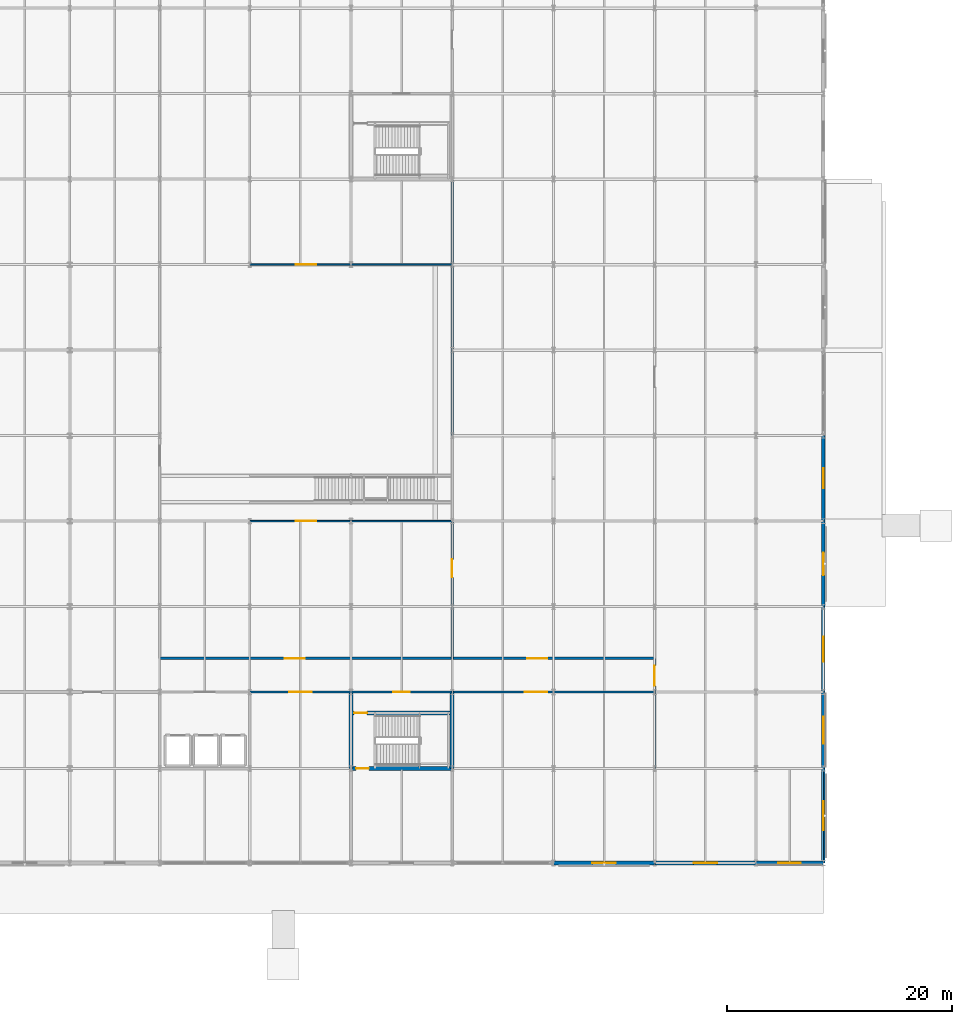
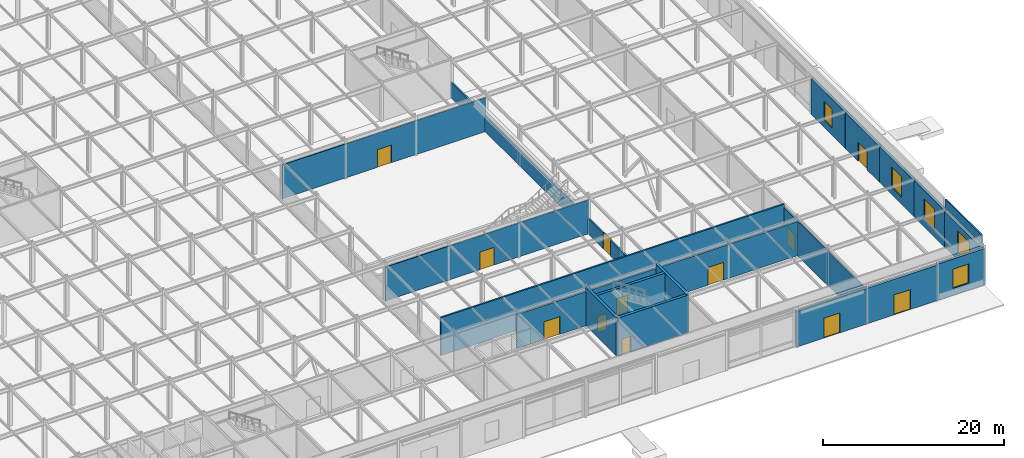
# One storey, part 69 of 89: 21 walls, 14 doors, 5 windows, 19 openings.
"""IFC4 building model written with IfcOpenShell, lengths in metres."""

import ifcopenshell
import ifcopenshell.guid

model = None  # the IFC model being written
_history = None  # IfcOwnerHistory: only IFC2X3 demands one
_inside = {}  # id of a spatial element -> (the spatial element, [elements in it])
_under = {}  # id of a project, library or spatial element -> (it, [spatial elements below it])
_declared = {}  # id of a project -> (the project, [libraries it declares])
_typed = {}  # id of a type object -> (the type object, [elements of that type])
_made_of = {}  # id of a material, layer set ... -> (it, [elements and type objects made of it])


def new_model(schema):
    """Start an empty IFC model of exactly this schema.

    Asked for "IFC4X3", IfcOpenShell would pick the latest addendum, in which some entities
    have other attributes; the version numbers below select the first issue.
    IFC2X3 requires an IfcOwnerHistory on every rooted entity: one is made here for all.
    """
    global model, _history
    if schema == "IFC4X3":
        model = ifcopenshell.file(schema_version=(4, 3, 0, 0))
    else:
        model = ifcopenshell.file(schema=schema)
    _inside.clear()
    _under.clear()
    _declared.clear()
    _typed.clear()
    _made_of.clear()
    _history = None
    if model.schema == "IFC2X3":
        org = make("IfcOrganization", Name="unknown")
        user = make(
            "IfcPersonAndOrganization",
            ThePerson=make("IfcPerson", FamilyName="unknown"),
            TheOrganization=org,
        )
        app = make(
            "IfcApplication",
            ApplicationDeveloper=org,
            Version="unknown",
            ApplicationFullName="unknown",
            ApplicationIdentifier="unknown",
        )
        _history = make(
            "IfcOwnerHistory",
            OwningUser=user,
            OwningApplication=app,
            ChangeAction="ADDED",
            CreationDate=0,
        )
    return model


def make(cls, **values):
    """One entity of the class cls with the attributes given. An attribute that is None is left unset."""
    return model.create_entity(
        cls, **{name: value for name, value in values.items() if value is not None}
    )


def rooted(cls, **values):
    """An entity with a GlobalId (a new one), such as an element, a storey or a relation."""
    return make(cls, GlobalId=ifcopenshell.guid.new(), OwnerHistory=_history, **values)


def si_unit(unit_type, name, prefix=None):
    """IfcSIUnit, for example si_unit("LENGTHUNIT", "METRE", prefix="MILLI")."""
    return make("IfcSIUnit", UnitType=unit_type, Prefix=prefix, Name=name)


def assignment(units):
    """IfcUnitAssignment: the units of a project."""
    return None if units is None else make("IfcUnitAssignment", Units=units)


def point(xyz):
    """IfcCartesianPoint."""
    return None if xyz is None else make("IfcCartesianPoint", Coordinates=xyz)


def direction(xyz):
    """IfcDirection."""
    return None if xyz is None else make("IfcDirection", DirectionRatios=xyz)


def frame(location, z_axis=None, x_axis=None):
    """IfcAxis2Placement3D, a coordinate frame: its origin and axes. An axis left out is left unset."""
    return make(
        "IfcAxis2Placement3D",
        Location=point(location),
        Axis=direction(z_axis),
        RefDirection=direction(x_axis),
    )


def frame_2d(location, x_axis=None):
    """IfcAxis2Placement2D, a coordinate frame in the plane: its origin and x axis."""
    return make(
        "IfcAxis2Placement2D", Location=point(location), RefDirection=direction(x_axis)
    )


def origin():
    """The frame at (0, 0, 0) with its axes left unset."""
    return frame((0.0, 0.0, 0.0))


def place(relative_to, where):
    """IfcLocalPlacement: puts the frame where relative to a parent placement (None: the world)."""
    return make(
        "IfcLocalPlacement", PlacementRelTo=relative_to, RelativePlacement=where
    )


def context(
    kind, dimensions, precision=None, world=None, true_north=None, identifier=None
):
    """IfcGeometricRepresentationContext, for example the 3D "Model" context."""
    return make(
        "IfcGeometricRepresentationContext",
        ContextIdentifier=identifier,
        ContextType=kind,
        CoordinateSpaceDimension=dimensions,
        Precision=precision,
        WorldCoordinateSystem=world,
        TrueNorth=true_north,
    )


def subcontext(parent, identifier, kind, view, scale=None):
    """IfcGeometricRepresentationSubContext, for example "Body" below "Model"."""
    return make(
        "IfcGeometricRepresentationSubContext",
        ContextIdentifier=identifier,
        ContextType=kind,
        ParentContext=parent,
        TargetScale=scale,
        TargetView=view,
    )


def project(units=None, contexts=None):
    """IfcProject with its units and contexts."""
    return rooted(
        "IfcProject",
        Name="project",
        RepresentationContexts=contexts,
        UnitsInContext=assignment(units),
    )


def spatial(cls, under=None, at=None, **own):
    """A site, building, storey or space (cls), placed at a placement, below another one or the project."""
    s = rooted(cls, ObjectPlacement=at, **own)
    if under is not None:
        _under.setdefault(under.id(), (under, []))[1].append(s)
    return s


def profile(cls, at=None, kind="AREA", **sizes):
    """A parametric profile (cls). Its sizes go by their IFC names, for example OverallWidth=200.0."""
    return make(cls, ProfileType=kind, Position=at, **sizes)


def rectangle(**sizes):
    """IfcRectangleProfileDef."""
    return profile("IfcRectangleProfileDef", **sizes)


def extrude(swept, where, along, depth):
    """IfcExtrudedAreaSolid: the profile swept, set in the frame where, extruded along a direction by depth."""
    return make(
        "IfcExtrudedAreaSolid",
        SweptArea=swept,
        Position=where,
        ExtrudedDirection=direction(along),
        Depth=depth,
    )


def shape(context_of_items, identifier, shape_type, items):
    """IfcShapeRepresentation: the items that make up one representation, for example the "Body"."""
    return make(
        "IfcShapeRepresentation",
        ContextOfItems=context_of_items,
        RepresentationIdentifier=identifier,
        RepresentationType=shape_type,
        Items=items,
    )


def material(Name=None, Category=None):
    """IfcMaterial."""
    return make("IfcMaterial", Name=Name, Category=Category)


def layer(
    of_material, thickness, ventilated=None, Name=None, Category=None, Priority=None
):
    """IfcMaterialLayer: one layer of a wall or slab, of a material (None: an air gap)."""
    return make(
        "IfcMaterialLayer",
        Material=of_material,
        LayerThickness=thickness,
        IsVentilated=ventilated,
        Name=Name,
        Category=Category,
        Priority=Priority,
    )


def layer_set(layers, Name=None):
    """IfcMaterialLayerSet."""
    return make("IfcMaterialLayerSet", MaterialLayers=layers, LayerSetName=Name)


def made_of(thing, what):
    """Note that an element or type object is made of a material, layer set ...; save() writes the relation."""
    if what is not None:
        _made_of.setdefault(what.id(), (what, []))[1].append(thing)
    return thing


def type_object(cls, material=None, **own):
    """A type object (cls), such as IfcWallType, which elements share."""
    return made_of(rooted(cls, **own), material)


def element(
    cls,
    number,
    at=None,
    inside=None,
    cuts=None,
    type_object=None,
    material=None,
    context=None,
    identifier="Body",
    shape_type=None,
    held_by="IfcProductDefinitionShape",
    body=None,
    shapes=None,
    **own,
):
    """One element of the class cls, such as IfcWall. Its Tag is "e" and its number.

    at: its placement. inside: the storey or other place that contains it. cuts: it is an
    opening in that element (IfcRelVoidsElement). A single representation is given by context,
    identifier, shape_type and body (its items); several are given by shapes. held_by: the class
    of the entity that holds the representations. save() writes the other relations.
    """
    e = rooted(cls, Tag="e%d" % number, ObjectPlacement=at, **own)
    if body is not None:
        shapes = [shape(context, identifier, shape_type, body)]
    if shapes is not None:
        e.Representation = make(held_by, Representations=shapes)
    if inside is not None:
        _inside.setdefault(inside.id(), (inside, []))[1].append(e)
    if cuts is not None:
        rooted(
            "IfcRelVoidsElement", RelatingBuildingElement=cuts, RelatedOpeningElement=e
        )
    if type_object is not None:
        _typed.setdefault(type_object.id(), (type_object, []))[1].append(e)
    return made_of(e, material)


def fill(opening, filler):
    """IfcRelFillsElement: the door or window that sits in an opening."""
    return rooted(
        "IfcRelFillsElement",
        RelatingOpeningElement=opening,
        RelatedBuildingElement=filler,
    )


def aggregate(whole, parts):
    """IfcRelAggregates: a whole, such as a stair, and the parts it consists of."""
    return rooted("IfcRelAggregates", RelatingObject=whole, RelatedObjects=parts)


def save(model, path):
    """Write the relations noted so far, then the file.

    IfcRelAggregates (storeys below a building ...), IfcRelContainedInSpatialStructure (elements
    in a storey), IfcRelDefinesByType, IfcRelAssociatesMaterial and IfcRelDeclares: one each for
    every whole, place, type object, material and project.
    """
    for whole, parts in _under.values():
        aggregate(whole, parts)
    for where, things in _inside.values():
        rooted(
            "IfcRelContainedInSpatialStructure",
            RelatedElements=things,
            RelatingStructure=where,
        )
    for kind, things in _typed.values():
        rooted("IfcRelDefinesByType", RelatedObjects=things, RelatingType=kind)
    for what, things in _made_of.values():
        rooted("IfcRelAssociatesMaterial", RelatedObjects=things, RelatingMaterial=what)
    for by, libraries in _declared.values():
        rooted("IfcRelDeclares", RelatingContext=by, RelatedDefinitions=libraries)
    model.write(path)


model = new_model("IFC4")

# Units and contexts
model_context = context("Model", 3, precision=1e-05, world=origin(), true_north=direction((0.0, 1.0)))
body_context = subcontext(model_context, "Body", "Model", "MODEL_VIEW")
ifc_project = project(units=[si_unit("LENGTHUNIT", "METRE"), si_unit("AREAUNIT", "SQUARE_METRE"), si_unit("VOLUMEUNIT", "CUBIC_METRE"), si_unit("PLANEANGLEUNIT", "RADIAN"), si_unit("MASSUNIT", "GRAM", prefix="KILO")], contexts=[model_context])

# Site, building, storey
site_placement = place(None, origin())
site = spatial("IfcSite", under=ifc_project, at=site_placement, CompositionType="ELEMENT")
building_placement = place(site_placement, origin())
building = spatial("IfcBuilding", under=site, at=building_placement, Name="Shalkamar Park Central Library", CompositionType="ELEMENT")
storey_placement = place(building_placement, origin())
storey = spatial("IfcBuildingStorey", under=building, at=storey_placement, Name="L01", CompositionType="ELEMENT", Elevation=0.0)

# Wall, opening, door
ifc_material_1 = material(Name="Acoustic insulated reading partition", Category="masonry")
ifc_layer_1 = layer(ifc_material_1, 0.139892578125)
ifc_layer_set_1 = layer_set([ifc_layer_1], Name="AcousticPartition_140")
wall_type_1 = type_object("IfcWallType", Name="Acoustic Partition 140", PredefinedType="PARTITIONING", material=ifc_layer_set_1)
wall_1_placement = place(storey_placement, frame((229.0, 270.39990234375, 0.0), z_axis=(0.0, 0.0, 1.0), x_axis=(1.0, 0.0, 0.0)))
wall_1 = element("IfcWall", 1, at=wall_1_placement, inside=storey, type_object=wall_type_1, Name="Interior Partition WL-INT-L01-047", PredefinedType="PARTITIONING", context=body_context, shape_type="SweptSolid", body=[
    extrude(rectangle(XDim=26.0, YDim=0.139892578125, at=frame_2d((13.0, 0.0))), origin(), (0.0, 0.0, 1.0), 4.587890625),
])
opening_1_placement = place(wall_1_placement, frame((12.10009765625, 0.0, 0.0)))
opening_1 = element("IfcOpeningElement", 2, at=opening_1_placement, cuts=wall_1, Name="Opening DR-L01-040", PredefinedType="OPENING", context=body_context, shape_type="SweptSolid", body=[
    extrude(rectangle(XDim=1.800048828125, YDim=2.39990234375, at=frame_2d((0.89990234375, 1.199951171875))), frame((0.0, 0.0849609375, 0.0), z_axis=(0.0, -1.0, 0.0), x_axis=(1.0, 0.0, 0.0)), (0.0, 0.0, 1.0), 0.169677734375),
])
ifc_material_2 = material(Name="Steel S355", Category="steel")
door_type_1 = type_object("IfcDoorType", Name="Interior Door Double 1800x2400", OperationType="DOUBLE_DOOR_SINGLE_SWING", PredefinedType="DOOR", material=ifc_material_2)
door_1_placement = place(opening_1_placement, frame((1.800048828125, 0.0, 0.0), z_axis=(0.0, 0.0, 1.0), x_axis=(-1.0, 0.0, 0.0)))
door_1 = element("IfcDoor", 3, at=door_1_placement, inside=storey, type_object=door_type_1, Name="Atrium South Glazed Portal", OperationType="DOUBLE_DOOR_SINGLE_SWING", OverallHeight=2.39990234375, OverallWidth=1.800048828125, PredefinedType="DOOR", context=body_context, shape_type="SweptSolid", body=[
    extrude(rectangle(XDim=1.800048828125, YDim=2.39990234375, at=frame_2d((0.89990234375, 1.199951171875))), frame((0.0, 0.02490234375, 0.0), z_axis=(0.0, -1.0, 0.0), x_axis=(1.0, 0.0, 0.0)), (0.0, 0.0, 1.0), 0.050048828125),
])
fill(opening_1, door_1)

wall_2_placement = place(storey_placement, frame((229.0, 293.199951171875, 0.0), z_axis=(0.0, 0.0, 1.0), x_axis=(1.0, 0.0, 0.0)))
wall_2 = element("IfcWall", 4, at=wall_2_placement, inside=storey, type_object=wall_type_1, Name="Interior Partition WL-INT-L01-048", PredefinedType="PARTITIONING", context=body_context, shape_type="SweptSolid", body=[
    extrude(rectangle(XDim=26.0, YDim=0.139892578125, at=frame_2d((13.0, 0.0))), origin(), (0.0, 0.0, 1.0), 4.587890625),
])
opening_2_placement = place(wall_2_placement, frame((12.10009765625, 0.0, 0.0)))
opening_2 = element("IfcOpeningElement", 5, at=opening_2_placement, cuts=wall_2, Name="Opening DR-L01-041", PredefinedType="OPENING", context=body_context, shape_type="SweptSolid", body=[
    extrude(rectangle(XDim=1.800048828125, YDim=2.39990234375, at=frame_2d((0.89990234375, 1.199951171875))), frame((0.0, 0.0849609375, 0.0), z_axis=(0.0, -1.0, 0.0), x_axis=(1.0, 0.0, 0.0)), (0.0, 0.0, 1.0), 0.169677734375),
])
door_2_placement = place(opening_2_placement, origin())
door_2 = element("IfcDoor", 6, at=door_2_placement, inside=storey, type_object=door_type_1, Name="Atrium North Glazed Portal", OperationType="DOUBLE_DOOR_SINGLE_SWING", OverallHeight=2.39990234375, OverallWidth=1.800048828125, PredefinedType="DOOR", context=body_context, shape_type="SweptSolid", body=[
    extrude(rectangle(XDim=1.800048828125, YDim=2.39990234375, at=frame_2d((0.89990234375, 1.199951171875))), frame((0.0, 0.02490234375, 0.0), z_axis=(0.0, -1.0, 0.0), x_axis=(1.0, 0.0, 0.0)), (0.0, 0.0, 1.0), 0.050048828125),
])
fill(opening_2, door_2)

ifc_material_3 = material(Name="Fire-rated corridor partition wall", Category="masonry")
ifc_layer_2 = layer(ifc_material_3, 0.199951171875)
ifc_layer_set_2 = layer_set([ifc_layer_2], Name="CorridorFireWall_200")
wall_type_2 = type_object("IfcWallType", Name="Corridor Fire Wall 200", PredefinedType="PARTITIONING", material=ifc_layer_set_2)
wall_3_placement = place(storey_placement, frame((246.0, 255.199951171875, 0.0), z_axis=(0.0, 0.0, 1.0), x_axis=(1.0, 0.0, 0.0)))
wall_3 = element("IfcWall", 7, at=wall_3_placement, inside=storey, type_object=wall_type_2, Name="CORE-P3 Vestibule North Wall (L01)", PredefinedType="PARTITIONING", context=body_context, shape_type="SweptSolid", body=[
    extrude(rectangle(XDim=9.0, YDim=0.199951171875, at=frame_2d((4.5, 0.0))), origin(), (0.0, 0.0, 1.0), 4.587890625),
])
opening_3_placement = place(wall_3_placement, frame((3.77490234375, 0.0, 0.0)))
opening_3 = element("IfcOpeningElement", 8, at=opening_3_placement, cuts=wall_3, Name="Opening DR-ST-P3-L01-VEST", PredefinedType="OPENING", context=body_context, shape_type="SweptSolid", body=[
    extrude(rectangle(XDim=1.449951171875, YDim=2.199951171875, at=frame_2d((0.72509765625, 1.10009765625))), frame((0.0, 0.11474609375, 0.0), z_axis=(0.0, -1.0, 0.0), x_axis=(1.0, 0.0, 0.0)), (0.0, 0.0, 1.0), 0.229736328125),
])
door_type_2 = type_object("IfcDoorType", Name="Stair Vestibule Door 1450x2200", OperationType="DOUBLE_DOOR_SINGLE_SWING", PredefinedType="DOOR", material=ifc_material_2)
door_3_placement = place(opening_3_placement, origin())
door_3 = element("IfcDoor", 9, at=door_3_placement, inside=storey, type_object=door_type_2, Name="Protected Stair ST-P3 Vestibule Door (L01)", OperationType="DOUBLE_DOOR_SINGLE_SWING", OverallHeight=2.199951171875, OverallWidth=1.449951171875, PredefinedType="DOOR", context=body_context, shape_type="SweptSolid", body=[
    extrude(rectangle(XDim=1.449951171875, YDim=2.199951171875, at=frame_2d((0.72509765625, 1.10009765625))), frame((0.0, 0.02490234375, 0.0), z_axis=(0.0, -1.0, 0.0), x_axis=(1.0, 0.0, 0.0)), (0.0, 0.0, 1.0), 0.050048828125),
])
fill(opening_3, door_3)

wall_4_placement = place(storey_placement, frame((237.0, 255.199951171875, 0.0), z_axis=(0.0, 0.0, 1.0), x_axis=(1.0, 0.0, 0.0)))
wall_4 = element("IfcWall", 10, at=wall_4_placement, inside=storey, type_object=wall_type_2, Name="Interior Partition WL-INT-L01-033-S1", PredefinedType="PARTITIONING", context=body_context, shape_type="SweptSolid", body=[
    extrude(rectangle(XDim=9.0, YDim=0.199951171875, at=frame_2d((4.5, 0.0))), origin(), (0.0, 0.0, 1.0), 4.587890625),
])
opening_4_placement = place(wall_4_placement, frame((3.5, 0.0, 0.0)))
opening_4 = element("IfcOpeningElement", 11, at=opening_4_placement, cuts=wall_4, Name="Opening DR-L01-022", PredefinedType="OPENING", context=body_context, shape_type="SweptSolid", body=[
    extrude(rectangle(XDim=2.0, YDim=2.39990234375, at=frame_2d((1.0, 1.199951171875))), frame((0.0, 0.11474609375, 0.0), z_axis=(0.0, -1.0, 0.0), x_axis=(1.0, 0.0, 0.0)), (0.0, 0.0, 1.0), 0.229736328125),
])
door_type_3 = type_object("IfcDoorType", Name="Interior Door Double 2000x2400", OperationType="DOUBLE_DOOR_SINGLE_SWING", PredefinedType="DOOR", material=ifc_material_2)
door_4_placement = place(opening_4_placement, frame((2.0, 0.0, 0.0), z_axis=(0.0, 0.0, 1.0), x_axis=(-1.0, 0.0, 0.0)))
door_4 = element("IfcDoor", 12, at=door_4_placement, inside=storey, type_object=door_type_3, Name="Exhibition Gallery West Portal", OperationType="DOUBLE_DOOR_SINGLE_SWING", OverallHeight=2.39990234375, OverallWidth=2.0, PredefinedType="DOOR", context=body_context, shape_type="SweptSolid", body=[
    extrude(rectangle(XDim=2.0, YDim=2.39990234375, at=frame_2d((1.0, 1.199951171875))), frame((0.0, 0.02490234375, 0.0), z_axis=(0.0, -1.0, 0.0), x_axis=(1.0, 0.0, 0.0)), (0.0, 0.0, 1.0), 0.050048828125),
])
fill(opening_4, door_4)

wall_5_placement = place(storey_placement, frame((255.0, 255.199951171875, 0.0), z_axis=(0.0, 0.0, 1.0), x_axis=(1.0, 0.0, 0.0)))
wall_5 = element("IfcWall", 13, at=wall_5_placement, inside=storey, type_object=wall_type_2, Name="Interior Partition WL-INT-L01-033-S2", PredefinedType="PARTITIONING", context=body_context, shape_type="SweptSolid", body=[
    extrude(rectangle(XDim=18.0, YDim=0.199951171875, at=frame_2d((9.0, 0.0))), origin(), (0.0, 0.0, 1.0), 4.587890625),
])
opening_5_placement = place(wall_5_placement, frame((6.4599609375, 0.0, 0.0)))
opening_5 = element("IfcOpeningElement", 14, at=opening_5_placement, cuts=wall_5, Name="Opening DR-L01-023", PredefinedType="OPENING", context=body_context, shape_type="SweptSolid", body=[
    extrude(rectangle(XDim=2.0, YDim=2.39990234375, at=frame_2d((1.0, 1.199951171875))), frame((0.0, 0.11474609375, 0.0), z_axis=(0.0, -1.0, 0.0), x_axis=(1.0, 0.0, 0.0)), (0.0, 0.0, 1.0), 0.229736328125),
])
door_5_placement = place(opening_5_placement, frame((2.0, 0.0, 0.0), z_axis=(0.0, 0.0, 1.0), x_axis=(-1.0, 0.0, 0.0)))
door_5 = element("IfcDoor", 15, at=door_5_placement, inside=storey, type_object=door_type_3, Name="Exhibition Gallery East Portal", OperationType="DOUBLE_DOOR_SINGLE_SWING", OverallHeight=2.39990234375, OverallWidth=2.0, PredefinedType="DOOR", context=body_context, shape_type="SweptSolid", body=[
    extrude(rectangle(XDim=2.0, YDim=2.39990234375, at=frame_2d((1.0, 1.199951171875))), frame((0.0, 0.02490234375, 0.0), z_axis=(0.0, -1.0, 0.0), x_axis=(1.0, 0.0, 0.0)), (0.0, 0.0, 1.0), 0.050048828125),
])
fill(opening_5, door_5)

wall_6_placement = place(storey_placement, frame((273.0, 240.0, 0.0), z_axis=(0.0, 0.0, 1.0), x_axis=(0.0, 1.0, 0.0)))
wall_6 = element("IfcWall", 16, at=wall_6_placement, inside=storey, type_object=wall_type_2, Name="Interior Partition WL-INT-L01-034", PredefinedType="PARTITIONING", context=body_context, shape_type="SweptSolid", body=[
    extrude(rectangle(XDim=18.199951171875, YDim=0.199951171875, at=frame_2d((9.10009765625, 0.0))), origin(), (0.0, 0.0, 1.0), 4.68798828125),
])
opening_6_placement = place(wall_6_placement, frame((15.75, 0.0, 0.0)))
opening_6 = element("IfcOpeningElement", 17, at=opening_6_placement, cuts=wall_6, Name="Opening DR-L01-024", PredefinedType="OPENING", context=body_context, shape_type="SweptSolid", body=[
    extrude(rectangle(XDim=1.800048828125, YDim=2.39990234375, at=frame_2d((0.89990234375, 1.199951171875))), frame((0.0, 0.11474609375, 0.0), z_axis=(0.0, -1.0, 0.0), x_axis=(1.0, 0.0, 0.0)), (0.0, 0.0, 1.0), 0.229736328125),
])
door_6_placement = place(opening_6_placement, frame((1.800048828125, 0.0, 0.0), z_axis=(0.0, 0.0, 1.0), x_axis=(-1.0, 0.0, 0.0)))
door_6 = element("IfcDoor", 18, at=door_6_placement, inside=storey, type_object=door_type_1, Name="East Entrance Vestibule Door", OperationType="DOUBLE_DOOR_SINGLE_SWING", OverallHeight=2.39990234375, OverallWidth=1.800048828125, PredefinedType="DOOR", context=body_context, shape_type="SweptSolid", body=[
    extrude(rectangle(XDim=1.800048828125, YDim=2.39990234375, at=frame_2d((0.89990234375, 1.199951171875))), frame((0.0, 0.02490234375, 0.0), z_axis=(0.0, -1.0, 0.0), x_axis=(1.0, 0.0, 0.0)), (0.0, 0.0, 1.0), 0.050048828125),
])
fill(opening_6, door_6)

# Wall, openings, doors
wall_7_placement = place(storey_placement, frame((229.0, 258.199951171875, 0.0), z_axis=(0.0, 0.0, 1.0), x_axis=(1.0, 0.0, 0.0)))
wall_7 = element("IfcWall", 19, at=wall_7_placement, inside=storey, type_object=wall_type_2, Name="Interior Partition WL-INT-L01-044", PredefinedType="PARTITIONING", context=body_context, shape_type="SweptSolid", body=[
    extrude(rectangle(XDim=44.0, YDim=0.199951171875, at=frame_2d((22.0, 0.0))), origin(), (0.0, 0.0, 1.0), 5.139892578125),
])
opening_7_placement = place(wall_7_placement, frame((11.10009765625, 0.0, 0.0)))
opening_7 = element("IfcOpeningElement", 20, at=opening_7_placement, cuts=wall_7, Name="Opening DR-L01-034", PredefinedType="OPENING", context=body_context, shape_type="SweptSolid", body=[
    extrude(rectangle(XDim=1.800048828125, YDim=2.39990234375, at=frame_2d((0.89990234375, 1.199951171875))), frame((0.0, 0.11474609375, 0.0), z_axis=(0.0, -1.0, 0.0), x_axis=(1.0, 0.0, 0.0)), (0.0, 0.0, 1.0), 0.229736328125),
])
opening_8_placement = place(wall_7_placement, frame((32.659912109375, 0.0, 0.0)))
opening_8 = element("IfcOpeningElement", 21, at=opening_8_placement, cuts=wall_7, Name="Opening DR-L01-035", PredefinedType="OPENING", context=body_context, shape_type="SweptSolid", body=[
    extrude(rectangle(XDim=1.800048828125, YDim=2.39990234375, at=frame_2d((0.89990234375, 1.199951171875))), frame((0.0, 0.11474609375, 0.0), z_axis=(0.0, -1.0, 0.0), x_axis=(1.0, 0.0, 0.0)), (0.0, 0.0, 1.0), 0.229736328125),
])
door_7_placement = place(opening_7_placement, origin())
door_7 = element("IfcDoor", 22, at=door_7_placement, inside=storey, type_object=door_type_1, Name="Open Lending Stacks South Door", OperationType="DOUBLE_DOOR_SINGLE_SWING", OverallHeight=2.39990234375, OverallWidth=1.800048828125, PredefinedType="DOOR", context=body_context, shape_type="SweptSolid", body=[
    extrude(rectangle(XDim=1.800048828125, YDim=2.39990234375, at=frame_2d((0.89990234375, 1.199951171875))), frame((0.0, 0.02490234375, 0.0), z_axis=(0.0, -1.0, 0.0), x_axis=(1.0, 0.0, 0.0)), (0.0, 0.0, 1.0), 0.050048828125),
])
fill(opening_7, door_7)
door_8_placement = place(opening_8_placement, origin())
door_8 = element("IfcDoor", 23, at=door_8_placement, inside=storey, type_object=door_type_1, Name="Adult Lending Reading Room Door", OperationType="DOUBLE_DOOR_SINGLE_SWING", OverallHeight=2.39990234375, OverallWidth=1.800048828125, PredefinedType="DOOR", context=body_context, shape_type="SweptSolid", body=[
    extrude(rectangle(XDim=1.800048828125, YDim=2.39990234375, at=frame_2d((0.89990234375, 1.199951171875))), frame((0.0, 0.02490234375, 0.0), z_axis=(0.0, -1.0, 0.0), x_axis=(1.0, 0.0, 0.0)), (0.0, 0.0, 1.0), 0.050048828125),
])
fill(opening_8, door_8)

# Wall, opening, door
wall_8_placement = place(storey_placement, frame((255.0, 258.199951171875, 0.0), z_axis=(0.0, 0.0, 1.0), x_axis=(0.0, 1.0, 0.0)))
wall_8 = element("IfcWall", 24, at=wall_8_placement, inside=storey, type_object=wall_type_2, Name="Interior Partition WL-INT-L01-046-S1", PredefinedType="PARTITIONING", context=body_context, shape_type="SweptSolid", body=[
    extrude(rectangle(XDim=42.60009765625, YDim=0.199951171875, at=frame_2d((21.300048828125, 0.0))), origin(), (0.0, 0.0, 1.0), 2.117919921875),
])
opening_9_placement = place(wall_8_placement, frame((7.199951171875, 0.0, 0.0)))
opening_9 = element("IfcOpeningElement", 25, at=opening_9_placement, cuts=wall_8, Name="Opening DR-L01-038", PredefinedType="OPENING", context=body_context, shape_type="SweptSolid", body=[
    extrude(rectangle(XDim=1.60009765625, YDim=2.25, at=frame_2d((0.800048828125, 1.125))), frame((0.0, 0.11474609375, 0.0), z_axis=(0.0, -1.0, 0.0), x_axis=(1.0, 0.0, 0.0)), (0.0, 0.0, 1.0), 0.229736328125),
])
door_type_4 = type_object("IfcDoorType", Name="Interior Door Double 1600x2250", OperationType="DOUBLE_DOOR_SINGLE_SWING", PredefinedType="DOOR", material=ifc_material_2)
door_9_placement = place(opening_9_placement, origin())
door_9 = element("IfcDoor", 26, at=door_9_placement, inside=storey, type_object=door_type_4, Name="East Reading Hall Link Door", OperationType="DOUBLE_DOOR_SINGLE_SWING", OverallHeight=2.25, OverallWidth=1.60009765625, PredefinedType="DOOR", context=body_context, shape_type="SweptSolid", body=[
    extrude(rectangle(XDim=1.60009765625, YDim=2.25, at=frame_2d((0.800048828125, 1.125))), frame((0.0, 0.02490234375, 0.0), z_axis=(0.0, -1.0, 0.0), x_axis=(1.0, 0.0, 0.0)), (0.0, 0.0, 1.0), 0.050048828125),
])
fill(opening_9, door_9)

ifc_material_4 = material(Name="Concrete C35/45 precast", Category="concrete")
ifc_layer_3 = layer(ifc_material_4, 0.320068359375)
ifc_layer_set_3 = layer_set([ifc_layer_3], Name="Concrete C35/45 precast")
wall_type_3 = type_object("IfcWallType", Name="Granite Plinth External Wall 320", PredefinedType="SOLIDWALL", material=ifc_layer_set_3)
wall_9_placement = place(storey_placement, frame((264.006103515625, 240.0, 0.0), z_axis=(0.0, 0.0, 1.0), x_axis=(1.0, 0.0, 0.0)))
wall_9 = element("IfcWall", 27, at=wall_9_placement, inside=storey, type_object=wall_type_3, Name="Exterior Facade Wall WL-EXT-L01-016", PredefinedType="SOLIDWALL", context=body_context, shape_type="SweptSolid", body=[
    extrude(rectangle(XDim=8.98779296875, YDim=0.320068359375, at=frame_2d((4.493896484375, 0.0))), origin(), (0.0, 0.0, 1.0), 4.798095703125),
])
opening_10_placement = place(wall_9_placement, frame((3.444091796875, 0.0, 0.0)))
opening_10 = element("IfcOpeningElement", 28, at=opening_10_placement, cuts=wall_9, Name="Opening ED-L01-012", PredefinedType="OPENING", context=body_context, shape_type="SweptSolid", body=[
    extrude(rectangle(XDim=2.10009765625, YDim=2.699951171875, at=frame_2d((1.050048828125, 1.35009765625))), frame((0.0, 0.1748046875, 0.0), z_axis=(0.0, -1.0, 0.0), x_axis=(1.0, 0.0, 0.0)), (0.0, 0.0, 1.0), 0.349853515625),
])
ifc_material_5 = material(Name="Thermally broken insulated aluminium and glazed door", Category="aluminium")
door_type_5 = type_object("IfcDoorType", Name="Boulevard Entrance Door 2100x2700", OperationType="DOUBLE_DOOR_SINGLE_SWING", PredefinedType="DOOR", material=ifc_material_5)
door_10_placement = place(opening_10_placement, frame((2.10009765625, 0.0, 0.0), z_axis=(0.0, 0.0, 1.0), x_axis=(-1.0, 0.0, 0.0)))
door_10 = element("IfcDoor", 29, at=door_10_placement, inside=storey, type_object=door_type_5, Name="South Boulevard Entrance Portal 19", OperationType="DOUBLE_DOOR_SINGLE_SWING", OverallHeight=2.699951171875, OverallWidth=2.10009765625, PredefinedType="DOOR", context=body_context, shape_type="SweptSolid", body=[
    extrude(rectangle(XDim=2.10009765625, YDim=2.699951171875, at=frame_2d((1.050048828125, 1.35009765625))), frame((0.0, 0.02490234375, 0.0), z_axis=(0.0, -1.0, 0.0), x_axis=(1.0, 0.0, 0.0)), (0.0, 0.0, 1.0), 0.050048828125),
])
fill(opening_10, door_10)

wall_10_placement = place(storey_placement, frame((273.006103515625, 240.0, 0.0), z_axis=(0.0, 0.0, 1.0), x_axis=(1.0, 0.0, 0.0)))
wall_10 = element("IfcWall", 30, at=wall_10_placement, inside=storey, type_object=wall_type_3, Name="Exterior Facade Wall WL-EXT-L01-017", PredefinedType="SOLIDWALL", context=body_context, shape_type="SweptSolid", body=[
    extrude(rectangle(XDim=8.98779296875, YDim=0.320068359375, at=frame_2d((4.493896484375, 0.0))), origin(), (0.0, 0.0, 1.0), 4.798095703125),
])
opening_11_placement = place(wall_10_placement, frame((3.444091796875, 0.0, 0.0)))
opening_11 = element("IfcOpeningElement", 31, at=opening_11_placement, cuts=wall_10, Name="Opening ED-L01-013", PredefinedType="OPENING", context=body_context, shape_type="SweptSolid", body=[
    extrude(rectangle(XDim=2.10009765625, YDim=2.699951171875, at=frame_2d((1.050048828125, 1.35009765625))), frame((0.0, 0.1748046875, 0.0), z_axis=(0.0, -1.0, 0.0), x_axis=(1.0, 0.0, 0.0)), (0.0, 0.0, 1.0), 0.349853515625),
])
door_11_placement = place(opening_11_placement, frame((2.10009765625, 0.0, 0.0), z_axis=(0.0, 0.0, 1.0), x_axis=(-1.0, 0.0, 0.0)))
door_11 = element("IfcDoor", 32, at=door_11_placement, inside=storey, type_object=door_type_5, Name="South Boulevard Entrance Portal 20", OperationType="DOUBLE_DOOR_SINGLE_SWING", OverallHeight=2.699951171875, OverallWidth=2.10009765625, PredefinedType="DOOR", context=body_context, shape_type="SweptSolid", body=[
    extrude(rectangle(XDim=2.10009765625, YDim=2.699951171875, at=frame_2d((1.050048828125, 1.35009765625))), frame((0.0, 0.02490234375, 0.0), z_axis=(0.0, -1.0, 0.0), x_axis=(1.0, 0.0, 0.0)), (0.0, 0.0, 1.0), 0.050048828125),
])
fill(opening_11, door_11)

# Wall, opening, window
wall_11_placement = place(storey_placement, frame((282.006103515625, 240.0, 0.0), z_axis=(0.0, 0.0, 1.0), x_axis=(1.0, 0.0, 0.0)))
wall_11 = element("IfcWall", 33, at=wall_11_placement, inside=storey, type_object=wall_type_3, Name="Exterior Facade Wall WL-EXT-L01-018", PredefinedType="SOLIDWALL", context=body_context, shape_type="SweptSolid", body=[
    extrude(rectangle(XDim=5.98779296875, YDim=0.320068359375, at=frame_2d((2.993896484375, 0.0))), origin(), (0.0, 0.0, 1.0), 4.91796875),
])
opening_12_placement = place(wall_11_placement, frame((1.993896484375, 0.0, 0.949951171875)))
opening_12 = element("IfcOpeningElement", 34, at=opening_12_placement, cuts=wall_11, Name="Opening WN-05", PredefinedType="OPENING", context=body_context, shape_type="SweptSolid", body=[
    extrude(rectangle(XDim=2.0, YDim=2.60009765625, at=frame_2d((1.0, 1.300048828125))), frame((0.0, 0.1748046875, 0.0), z_axis=(0.0, -1.0, 0.0), x_axis=(1.0, 0.0, 0.0)), (0.0, 0.0, 1.0), 0.349853515625),
])
ifc_material_6 = material(Name="Thermally broken aluminium and triple low-e glass", Category="glass")
window_type_1 = type_object("IfcWindowType", Name="Podium Window 2000x2600", PartitioningType="DOUBLE_PANEL_VERTICAL", PredefinedType="WINDOW", material=ifc_material_6)
window_1_placement = place(opening_12_placement, origin())
window_1 = element("IfcWindow", 35, at=window_1_placement, inside=storey, type_object=window_type_1, Name="Facade Window WN-L01-005", OverallHeight=2.60009765625, OverallWidth=2.0, PartitioningType="DOUBLE_PANEL_VERTICAL", PredefinedType="WINDOW", context=body_context, shape_type="SweptSolid", body=[
    extrude(rectangle(XDim=2.0, YDim=2.60009765625, at=frame_2d((1.0, 1.300048828125))), frame((0.0, 0.030029296875, 0.0), z_axis=(0.0, -1.0, 0.0), x_axis=(1.0, 0.0, 0.0)), (0.0, 0.0, 1.0), 0.06005859375),
])
fill(opening_12, window_1)

wall_12_placement = place(storey_placement, frame((288.0, 240.006103515625, 0.0), z_axis=(0.0, 0.0, 1.0), x_axis=(0.0, 1.0, 0.0)))
wall_12 = element("IfcWall", 36, at=wall_12_placement, inside=storey, type_object=wall_type_3, Name="Exterior Facade Wall WL-EXT-L01-042", PredefinedType="SOLIDWALL", context=body_context, shape_type="SweptSolid", body=[
    extrude(rectangle(XDim=8.387939453125, YDim=0.320068359375, at=frame_2d((4.19384765625, 0.0))), origin(), (0.0, 0.0, 1.0), 4.837890625),
])
opening_13_placement = place(wall_12_placement, frame((2.89404296875, 0.0, 0.949951171875)))
opening_13 = element("IfcOpeningElement", 37, at=opening_13_placement, cuts=wall_12, Name="Opening WN-02", PredefinedType="OPENING", context=body_context, shape_type="SweptSolid", body=[
    extrude(rectangle(XDim=2.60009765625, YDim=3.0, at=frame_2d((1.300048828125, 1.5))), frame((0.0, 0.1748046875, 0.0), z_axis=(0.0, -1.0, 0.0), x_axis=(1.0, 0.0, 0.0)), (0.0, 0.0, 1.0), 0.349853515625),
])
window_type_2 = type_object("IfcWindowType", Name="Podium Window 2600x3000", PartitioningType="DOUBLE_PANEL_VERTICAL", PredefinedType="WINDOW", material=ifc_material_6)
window_2_placement = place(opening_13_placement, origin())
window_2 = element("IfcWindow", 38, at=window_2_placement, inside=storey, type_object=window_type_2, Name="Facade Window WN-L01-014", OverallHeight=3.0, OverallWidth=2.60009765625, PartitioningType="DOUBLE_PANEL_VERTICAL", PredefinedType="WINDOW", context=body_context, shape_type="SweptSolid", body=[
    extrude(rectangle(XDim=2.60009765625, YDim=3.0, at=frame_2d((1.300048828125, 1.5))), frame((0.0, 0.030029296875, 0.0), z_axis=(0.0, -1.0, 0.0), x_axis=(1.0, 0.0, 0.0)), (0.0, 0.0, 1.0), 0.06005859375),
])
fill(opening_13, window_2)

wall_13_placement = place(storey_placement, frame((288.0, 248.406005859375, 0.0), z_axis=(0.0, 0.0, 1.0), x_axis=(0.0, 1.0, 0.0)))
wall_13 = element("IfcWall", 39, at=wall_13_placement, inside=storey, type_object=wall_type_3, Name="Exterior Facade Wall WL-EXT-L01-043", PredefinedType="SOLIDWALL", context=body_context, shape_type="SweptSolid", body=[
    extrude(rectangle(XDim=6.7880859375, YDim=0.320068359375, at=frame_2d((3.39404296875, 0.0))), origin(), (0.0, 0.0, 1.0), 4.91796875),
])
opening_14_placement = place(wall_13_placement, frame((2.194091796875, 0.0, 0.949951171875)))
opening_14 = element("IfcOpeningElement", 40, at=opening_14_placement, cuts=wall_13, Name="Opening WN-03", PredefinedType="OPENING", context=body_context, shape_type="SweptSolid", body=[
    extrude(rectangle(XDim=2.39990234375, YDim=2.800048828125, at=frame_2d((1.199951171875, 1.39990234375))), frame((0.0, 0.1748046875, 0.0), z_axis=(0.0, -1.0, 0.0), x_axis=(1.0, 0.0, 0.0)), (0.0, 0.0, 1.0), 0.349853515625),
])
window_type_3 = type_object("IfcWindowType", Name="Podium Window 2400x2800", PartitioningType="DOUBLE_PANEL_VERTICAL", PredefinedType="WINDOW", material=ifc_material_6)
window_3_placement = place(opening_14_placement, origin())
window_3 = element("IfcWindow", 41, at=window_3_placement, inside=storey, type_object=window_type_3, Name="Facade Window WN-L01-015", OverallHeight=2.800048828125, OverallWidth=2.39990234375, PartitioningType="DOUBLE_PANEL_VERTICAL", PredefinedType="WINDOW", context=body_context, shape_type="SweptSolid", body=[
    extrude(rectangle(XDim=2.39990234375, YDim=2.800048828125, at=frame_2d((1.199951171875, 1.39990234375))), frame((0.0, 0.030029296875, 0.0), z_axis=(0.0, -1.0, 0.0), x_axis=(1.0, 0.0, 0.0)), (0.0, 0.0, 1.0), 0.06005859375),
])
fill(opening_14, window_3)

wall_14_placement = place(storey_placement, frame((288.0, 255.2060546875, 0.0), z_axis=(0.0, 0.0, 1.0), x_axis=(0.0, 1.0, 0.0)))
wall_14 = element("IfcWall", 42, at=wall_14_placement, inside=storey, type_object=wall_type_3, Name="Exterior Facade Wall WL-EXT-L01-044", PredefinedType="SOLIDWALL", context=body_context, shape_type="SweptSolid", body=[
    extrude(rectangle(XDim=7.587890625, YDim=0.320068359375, at=frame_2d((3.7939453125, 0.0))), origin(), (0.0, 0.0, 1.0), 4.8779296875),
])
opening_15_placement = place(wall_14_placement, frame((2.694091796875, 0.0, 0.949951171875)))
opening_15 = element("IfcOpeningElement", 43, at=opening_15_placement, cuts=wall_14, Name="Opening WN-04", PredefinedType="OPENING", context=body_context, shape_type="SweptSolid", body=[
    extrude(rectangle(XDim=2.199951171875, YDim=2.800048828125, at=frame_2d((1.10009765625, 1.39990234375))), frame((0.0, 0.1748046875, 0.0), z_axis=(0.0, -1.0, 0.0), x_axis=(1.0, 0.0, 0.0)), (0.0, 0.0, 1.0), 0.349853515625),
])
window_type_4 = type_object("IfcWindowType", Name="Podium Window 2200x2800", PartitioningType="DOUBLE_PANEL_VERTICAL", PredefinedType="WINDOW", material=ifc_material_6)
window_4_placement = place(opening_15_placement, origin())
window_4 = element("IfcWindow", 44, at=window_4_placement, inside=storey, type_object=window_type_4, Name="Facade Window WN-L01-016", OverallHeight=2.800048828125, OverallWidth=2.199951171875, PartitioningType="DOUBLE_PANEL_VERTICAL", PredefinedType="WINDOW", context=body_context, shape_type="SweptSolid", body=[
    extrude(rectangle(XDim=2.199951171875, YDim=2.800048828125, at=frame_2d((1.10009765625, 1.39990234375))), frame((0.0, 0.030029296875, 0.0), z_axis=(0.0, -1.0, 0.0), x_axis=(1.0, 0.0, 0.0)), (0.0, 0.0, 1.0), 0.06005859375),
])
fill(opening_15, window_4)

# Wall, opening, door
wall_15_placement = place(storey_placement, frame((288.0, 262.805908203125, 0.0), z_axis=(0.0, 0.0, 1.0), x_axis=(0.0, 1.0, 0.0)))
wall_15 = element("IfcWall", 45, at=wall_15_placement, inside=storey, type_object=wall_type_3, Name="Exterior Facade Wall WL-EXT-L01-045", PredefinedType="SOLIDWALL", context=body_context, shape_type="SweptSolid", body=[
    extrude(rectangle(XDim=7.588134765625, YDim=0.320068359375, at=frame_2d((3.7939453125, 0.0))), origin(), (0.0, 0.0, 1.0), 4.8779296875),
])
opening_16_placement = place(wall_15_placement, frame((2.7939453125, 0.0, 0.0)))
opening_16 = element("IfcOpeningElement", 46, at=opening_16_placement, cuts=wall_15, Name="Opening ED-L01-029", PredefinedType="OPENING", context=body_context, shape_type="SweptSolid", body=[
    extrude(rectangle(XDim=2.0, YDim=2.550048828125, at=frame_2d((1.0, 1.27490234375))), frame((0.0, 0.1748046875, 0.0), z_axis=(0.0, -1.0, 0.0), x_axis=(1.0, 0.0, 0.0)), (0.0, 0.0, 1.0), 0.349853515625),
])
door_type_6 = type_object("IfcDoorType", Name="Plaza Exit Portal 2000x2550", OperationType="DOUBLE_DOOR_SINGLE_SWING", PredefinedType="DOOR", material=ifc_material_5)
door_12_placement = place(opening_16_placement, frame((2.0, 0.0, 0.0), z_axis=(0.0, 0.0, 1.0), x_axis=(-1.0, 0.0, 0.0)))
door_12 = element("IfcDoor", 47, at=door_12_placement, inside=storey, type_object=door_type_6, Name="East Park Promenade Entrance Portal D", OperationType="DOUBLE_DOOR_SINGLE_SWING", OverallHeight=2.550048828125, OverallWidth=2.0, PredefinedType="DOOR", context=body_context, shape_type="SweptSolid", body=[
    extrude(rectangle(XDim=2.0, YDim=2.550048828125, at=frame_2d((1.0, 1.27490234375))), frame((0.0, 0.02490234375, 0.0), z_axis=(0.0, -1.0, 0.0), x_axis=(1.0, 0.0, 0.0)), (0.0, 0.0, 1.0), 0.050048828125),
])
fill(opening_16, door_12)

# Wall, opening, window
wall_16_placement = place(storey_placement, frame((288.0, 270.406005859375, 0.0), z_axis=(0.0, 0.0, 1.0), x_axis=(0.0, 1.0, 0.0)))
wall_16 = element("IfcWall", 48, at=wall_16_placement, inside=storey, type_object=wall_type_3, Name="Exterior Facade Wall WL-EXT-L01-046", PredefinedType="SOLIDWALL", context=body_context, shape_type="SweptSolid", body=[
    extrude(rectangle(XDim=7.587890625, YDim=0.320068359375, at=frame_2d((3.7939453125, 0.0))), origin(), (0.0, 0.0, 1.0), 4.8779296875),
])
opening_17_placement = place(wall_16_placement, frame((2.89404296875, 0.0, 0.949951171875)))
opening_17 = element("IfcOpeningElement", 49, at=opening_17_placement, cuts=wall_16, Name="Opening WN-06", PredefinedType="OPENING", context=body_context, shape_type="SweptSolid", body=[
    extrude(rectangle(XDim=1.800048828125, YDim=2.60009765625, at=frame_2d((0.89990234375, 1.300048828125))), frame((0.0, 0.1748046875, 0.0), z_axis=(0.0, -1.0, 0.0), x_axis=(1.0, 0.0, 0.0)), (0.0, 0.0, 1.0), 0.349853515625),
])
window_type_5 = type_object("IfcWindowType", Name="Podium Window 1800x2600", PartitioningType="DOUBLE_PANEL_VERTICAL", PredefinedType="WINDOW", material=ifc_material_6)
window_5_placement = place(opening_17_placement, origin())
window_5 = element("IfcWindow", 50, at=window_5_placement, inside=storey, type_object=window_type_5, Name="Facade Window WN-L01-017", OverallHeight=2.60009765625, OverallWidth=1.800048828125, PartitioningType="DOUBLE_PANEL_VERTICAL", PredefinedType="WINDOW", context=body_context, shape_type="SweptSolid", body=[
    extrude(rectangle(XDim=1.800048828125, YDim=2.60009765625, at=frame_2d((0.89990234375, 1.300048828125))), frame((0.0, 0.030029296875, 0.0), z_axis=(0.0, -1.0, 0.0), x_axis=(1.0, 0.0, 0.0)), (0.0, 0.0, 1.0), 0.06005859375),
])
fill(opening_17, window_5)

# Wall, opening, door
ifc_material_7 = material(Name="Concrete C40/50", Category="concrete")
ifc_layer_4 = layer(ifc_material_7, 0.35009765625)
ifc_layer_set_4 = layer_set([ifc_layer_4], Name="Concrete C40/50")
wall_type_4 = type_object("IfcWallType", Name="Podium Core Shear Wall 350", PredefinedType="SHEAR", material=ifc_layer_set_4)
wall_17_placement = place(storey_placement, frame((246.0, 248.39990234375, 0.0), z_axis=(0.0, 0.0, 1.0), x_axis=(1.0, 0.0, 0.0)))
wall_17 = element("IfcWall", 51, at=wall_17_placement, inside=storey, type_object=wall_type_4, Name="CORE-P3 South Shear Wall (L01)", PredefinedType="SHEAR", context=body_context, shape_type="SweptSolid", body=[
    extrude(rectangle(XDim=9.0, YDim=0.35009765625, at=frame_2d((4.5, 0.0))), origin(), (0.0, 0.0, 1.0), 5.139892578125),
])
opening_18_placement = place(wall_17_placement, frame((0.449951171875, 0.0, 0.0)))
opening_18 = element("IfcOpeningElement", 52, at=opening_18_placement, cuts=wall_17, Name="Opening DR-ST-P3-L01-DIS", PredefinedType="OPENING", context=body_context, shape_type="SweptSolid", body=[
    extrude(rectangle(XDim=1.14990234375, YDim=2.14990234375, at=frame_2d((0.574951171875, 1.074951171875))), frame((0.0, 0.18994140625, 0.0), z_axis=(0.0, -1.0, 0.0), x_axis=(1.0, 0.0, 0.0)), (0.0, 0.0, 1.0), 0.3798828125),
])
door_type_7 = type_object("IfcDoorType", Name="Stair Core Exit Door 1150x2150", OperationType="NOTDEFINED", PredefinedType="DOOR", material=ifc_material_2)
door_13_placement = place(opening_18_placement, frame((1.14990234375, 0.0, 0.0), z_axis=(0.0, 0.0, 1.0), x_axis=(-1.0, 0.0, 0.0)))
door_13 = element("IfcDoor", 53, at=door_13_placement, inside=storey, type_object=door_type_7, Name="Protected Stair ST-P3 Grade Discharge Door", OperationType="SINGLE_SWING_RIGHT", OverallHeight=2.14990234375, OverallWidth=1.14990234375, PredefinedType="DOOR", context=body_context, shape_type="SweptSolid", body=[
    extrude(rectangle(XDim=1.14990234375, YDim=2.14990234375, at=frame_2d((0.574951171875, 1.074951171875))), frame((0.0, 0.02490234375, 0.0), z_axis=(0.0, -1.0, 0.0), x_axis=(1.0, 0.0, 0.0)), (0.0, 0.0, 1.0), 0.050048828125),
])
fill(opening_18, door_13)

# Walls
for number, where, z_axis, x_axis, name in (
    (54, (246.0, 248.39990234375, 0.0), (0.0, 0.0, 1.0), (0.0, 1.0, 0.0), "CORE-P3 West Shear Wall (L01)"),
    (55, (255.0, 248.39990234375, 0.0), (0.0, 0.0, 1.0), (0.0, 1.0, 0.0), "CORE-P3 East Shear Wall (L01)"),
):
    element("IfcWall", number, at=place(storey_placement, frame(where, z_axis=z_axis, x_axis=x_axis)), inside=storey, type_object=wall_type_4, Name=name, PredefinedType="SHEAR", context=body_context, shape_type="SweptSolid", body=[
        extrude(rectangle(XDim=6.800048828125, YDim=0.35009765625, at=frame_2d((3.39990234375, 0.0))), origin(), (0.0, 0.0, 1.0), 5.139892578125),
    ])

# Wall, opening, door
wall_18_placement = place(storey_placement, frame((246.0, 253.35009765625, 0.0), z_axis=(0.0, 0.0, 1.0), x_axis=(1.0, 0.0, 0.0)))
wall_18 = element("IfcWall", 56, at=wall_18_placement, inside=storey, type_object=wall_type_4, Name="CORE-P3 Stairwell Wall (L01)", PredefinedType="SHEAR", context=body_context, shape_type="SweptSolid", body=[
    extrude(rectangle(XDim=9.0, YDim=0.35009765625, at=frame_2d((4.5, 0.0))), origin(), (0.0, 0.0, 1.0), 5.139892578125),
])
opening_19_placement = place(wall_18_placement, frame((0.27490234375, 0.0, 0.0)))
opening_19 = element("IfcOpeningElement", 57, at=opening_19_placement, cuts=wall_18, Name="Opening DR-ST-P3-L01-IN", PredefinedType="OPENING", context=body_context, shape_type="SweptSolid", body=[
    extrude(rectangle(XDim=1.14990234375, YDim=2.14990234375, at=frame_2d((0.574951171875, 1.074951171875))), frame((0.0, 0.18994140625, 0.0), z_axis=(0.0, -1.0, 0.0), x_axis=(1.0, 0.0, 0.0)), (0.0, 0.0, 1.0), 0.3798828125),
])
door_14_placement = place(opening_19_placement, origin())
door_14 = element("IfcDoor", 58, at=door_14_placement, inside=storey, type_object=door_type_7, Name="Protected Stair ST-P3 Exit Door (L01)", OperationType="SINGLE_SWING_LEFT", OverallHeight=2.14990234375, OverallWidth=1.14990234375, PredefinedType="DOOR", context=body_context, shape_type="SweptSolid", body=[
    extrude(rectangle(XDim=1.14990234375, YDim=2.14990234375, at=frame_2d((0.574951171875, 1.074951171875))), frame((0.0, 0.02490234375, 0.0), z_axis=(0.0, -1.0, 0.0), x_axis=(1.0, 0.0, 0.0)), (0.0, 0.0, 1.0), 0.050048828125),
])
fill(opening_19, door_14)

# Wall
ifc_layer_5 = layer(ifc_material_4, 0.179931640625)
ifc_layer_set_5 = layer_set([ifc_layer_5], Name="Concrete C35/45 precast")
wall_type_5 = type_object("IfcWallType", Name="Roof Parapet Wall 180", PredefinedType="PARAPET", material=ifc_layer_set_5)
wall_19_placement = place(storey_placement, frame((287.89990234375, 240.199951171875, 5.39990234375), z_axis=(0.0, 0.0, 1.0), x_axis=(0.0, 1.0, 0.0)))
element("IfcWall", 59, at=wall_19_placement, inside=storey, type_object=wall_type_5, Name="Roof Parapet Wall L01-03", PredefinedType="PARAPET", context=body_context, shape_type="SweptSolid", body=[
    extrude(rectangle(XDim=8.0, YDim=0.179931640625, at=frame_2d((4.0, 0.0))), origin(), (0.0, 0.0, 1.0), 1.2001953125),
])

save(model, "model.ifc")
